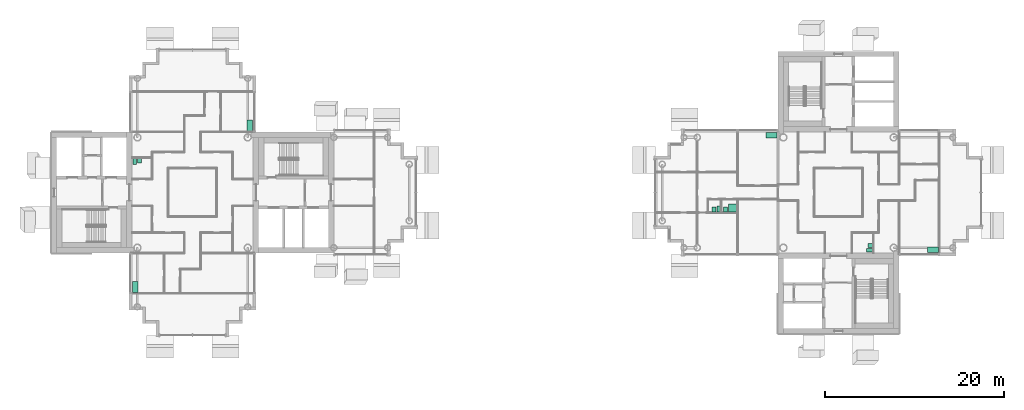
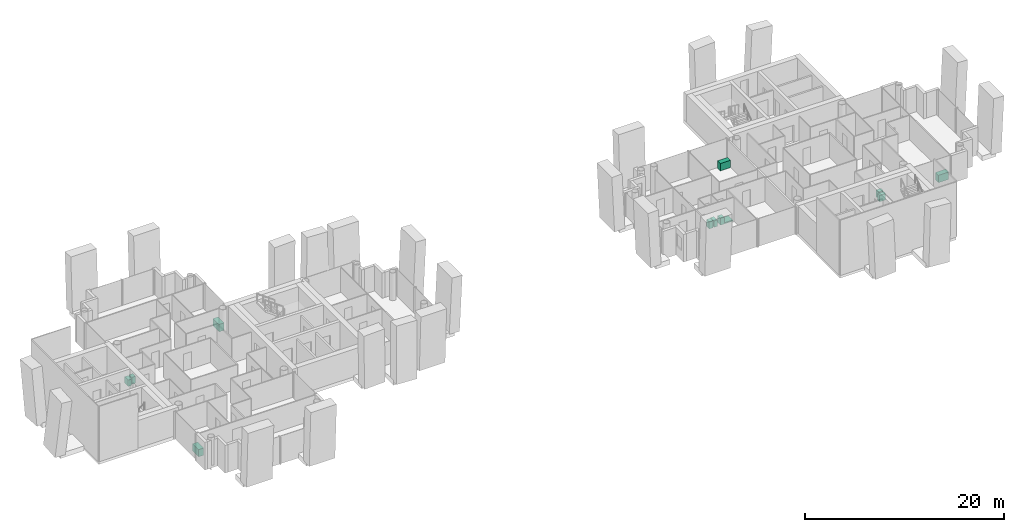
# One storey, part 18 of 18: 12 sanitary terminals.
"""IFC4 building model written with IfcOpenShell, lengths in metres."""

import ifcopenshell
import ifcopenshell.guid

model = None  # the IFC model being written
_history = None  # IfcOwnerHistory: only IFC2X3 demands one
_inside = {}  # id of a spatial element -> (the spatial element, [elements in it])
_under = {}  # id of a project, library or spatial element -> (it, [spatial elements below it])
_declared = {}  # id of a project -> (the project, [libraries it declares])
_typed = {}  # id of a type object -> (the type object, [elements of that type])
_made_of = {}  # id of a material, layer set ... -> (it, [elements and type objects made of it])


def new_model(schema):
    """Start an empty IFC model of exactly this schema.

    Asked for "IFC4X3", IfcOpenShell would pick the latest addendum, in which some entities
    have other attributes; the version numbers below select the first issue.
    IFC2X3 requires an IfcOwnerHistory on every rooted entity: one is made here for all.
    """
    global model, _history
    if schema == "IFC4X3":
        model = ifcopenshell.file(schema_version=(4, 3, 0, 0))
    else:
        model = ifcopenshell.file(schema=schema)
    _inside.clear()
    _under.clear()
    _declared.clear()
    _typed.clear()
    _made_of.clear()
    _history = None
    if model.schema == "IFC2X3":
        org = make("IfcOrganization", Name="unknown")
        user = make(
            "IfcPersonAndOrganization",
            ThePerson=make("IfcPerson", FamilyName="unknown"),
            TheOrganization=org,
        )
        app = make(
            "IfcApplication",
            ApplicationDeveloper=org,
            Version="unknown",
            ApplicationFullName="unknown",
            ApplicationIdentifier="unknown",
        )
        _history = make(
            "IfcOwnerHistory",
            OwningUser=user,
            OwningApplication=app,
            ChangeAction="ADDED",
            CreationDate=0,
        )
    return model


def make(cls, **values):
    """One entity of the class cls with the attributes given. An attribute that is None is left unset."""
    return model.create_entity(
        cls, **{name: value for name, value in values.items() if value is not None}
    )


def rooted(cls, **values):
    """An entity with a GlobalId (a new one), such as an element, a storey or a relation."""
    return make(cls, GlobalId=ifcopenshell.guid.new(), OwnerHistory=_history, **values)


def si_unit(unit_type, name, prefix=None):
    """IfcSIUnit, for example si_unit("LENGTHUNIT", "METRE", prefix="MILLI")."""
    return make("IfcSIUnit", UnitType=unit_type, Prefix=prefix, Name=name)


def assignment(units):
    """IfcUnitAssignment: the units of a project."""
    return None if units is None else make("IfcUnitAssignment", Units=units)


def point(xyz):
    """IfcCartesianPoint."""
    return None if xyz is None else make("IfcCartesianPoint", Coordinates=xyz)


def direction(xyz):
    """IfcDirection."""
    return None if xyz is None else make("IfcDirection", DirectionRatios=xyz)


def frame(location, z_axis=None, x_axis=None):
    """IfcAxis2Placement3D, a coordinate frame: its origin and axes. An axis left out is left unset."""
    return make(
        "IfcAxis2Placement3D",
        Location=point(location),
        Axis=direction(z_axis),
        RefDirection=direction(x_axis),
    )


def frame_2d(location, x_axis=None):
    """IfcAxis2Placement2D, a coordinate frame in the plane: its origin and x axis."""
    return make(
        "IfcAxis2Placement2D", Location=point(location), RefDirection=direction(x_axis)
    )


def origin():
    """The frame at (0, 0, 0) with its axes left unset."""
    return frame((0.0, 0.0, 0.0))


def origin_2d():
    """The frame at (0, 0) in the plane with its x axis left unset."""
    return frame_2d((0.0, 0.0))


def place(relative_to, where):
    """IfcLocalPlacement: puts the frame where relative to a parent placement (None: the world)."""
    return make(
        "IfcLocalPlacement", PlacementRelTo=relative_to, RelativePlacement=where
    )


def context(
    kind, dimensions, precision=None, world=None, true_north=None, identifier=None
):
    """IfcGeometricRepresentationContext, for example the 3D "Model" context."""
    return make(
        "IfcGeometricRepresentationContext",
        ContextIdentifier=identifier,
        ContextType=kind,
        CoordinateSpaceDimension=dimensions,
        Precision=precision,
        WorldCoordinateSystem=world,
        TrueNorth=true_north,
    )


def subcontext(parent, identifier, kind, view, scale=None):
    """IfcGeometricRepresentationSubContext, for example "Body" below "Model"."""
    return make(
        "IfcGeometricRepresentationSubContext",
        ContextIdentifier=identifier,
        ContextType=kind,
        ParentContext=parent,
        TargetScale=scale,
        TargetView=view,
    )


def project(units=None, contexts=None):
    """IfcProject with its units and contexts."""
    return rooted(
        "IfcProject",
        Name="project",
        RepresentationContexts=contexts,
        UnitsInContext=assignment(units),
    )


def spatial(cls, under=None, at=None, **own):
    """A site, building, storey or space (cls), placed at a placement, below another one or the project."""
    s = rooted(cls, ObjectPlacement=at, **own)
    if under is not None:
        _under.setdefault(under.id(), (under, []))[1].append(s)
    return s


def profile(cls, at=None, kind="AREA", **sizes):
    """A parametric profile (cls). Its sizes go by their IFC names, for example OverallWidth=200.0."""
    return make(cls, ProfileType=kind, Position=at, **sizes)


def rectangle(**sizes):
    """IfcRectangleProfileDef."""
    return profile("IfcRectangleProfileDef", **sizes)


def extrude(swept, where, along, depth):
    """IfcExtrudedAreaSolid: the profile swept, set in the frame where, extruded along a direction by depth."""
    return make(
        "IfcExtrudedAreaSolid",
        SweptArea=swept,
        Position=where,
        ExtrudedDirection=direction(along),
        Depth=depth,
    )


def shape(context_of_items, identifier, shape_type, items):
    """IfcShapeRepresentation: the items that make up one representation, for example the "Body"."""
    return make(
        "IfcShapeRepresentation",
        ContextOfItems=context_of_items,
        RepresentationIdentifier=identifier,
        RepresentationType=shape_type,
        Items=items,
    )


def material(Name=None, Category=None):
    """IfcMaterial."""
    return make("IfcMaterial", Name=Name, Category=Category)


def made_of(thing, what):
    """Note that an element or type object is made of a material, layer set ...; save() writes the relation."""
    if what is not None:
        _made_of.setdefault(what.id(), (what, []))[1].append(thing)
    return thing


def type_object(cls, material=None, **own):
    """A type object (cls), such as IfcWallType, which elements share."""
    return made_of(rooted(cls, **own), material)


def element(
    cls,
    number,
    at=None,
    inside=None,
    cuts=None,
    type_object=None,
    material=None,
    context=None,
    identifier="Body",
    shape_type=None,
    held_by="IfcProductDefinitionShape",
    body=None,
    shapes=None,
    **own,
):
    """One element of the class cls, such as IfcWall. Its Tag is "e" and its number.

    at: its placement. inside: the storey or other place that contains it. cuts: it is an
    opening in that element (IfcRelVoidsElement). A single representation is given by context,
    identifier, shape_type and body (its items); several are given by shapes. held_by: the class
    of the entity that holds the representations. save() writes the other relations.
    """
    e = rooted(cls, Tag="e%d" % number, ObjectPlacement=at, **own)
    if body is not None:
        shapes = [shape(context, identifier, shape_type, body)]
    if shapes is not None:
        e.Representation = make(held_by, Representations=shapes)
    if inside is not None:
        _inside.setdefault(inside.id(), (inside, []))[1].append(e)
    if cuts is not None:
        rooted(
            "IfcRelVoidsElement", RelatingBuildingElement=cuts, RelatedOpeningElement=e
        )
    if type_object is not None:
        _typed.setdefault(type_object.id(), (type_object, []))[1].append(e)
    return made_of(e, material)


def aggregate(whole, parts):
    """IfcRelAggregates: a whole, such as a stair, and the parts it consists of."""
    return rooted("IfcRelAggregates", RelatingObject=whole, RelatedObjects=parts)


def save(model, path):
    """Write the relations noted so far, then the file.

    IfcRelAggregates (storeys below a building ...), IfcRelContainedInSpatialStructure (elements
    in a storey), IfcRelDefinesByType, IfcRelAssociatesMaterial and IfcRelDeclares: one each for
    every whole, place, type object, material and project.
    """
    for whole, parts in _under.values():
        aggregate(whole, parts)
    for where, things in _inside.values():
        rooted(
            "IfcRelContainedInSpatialStructure",
            RelatedElements=things,
            RelatingStructure=where,
        )
    for kind, things in _typed.values():
        rooted("IfcRelDefinesByType", RelatedObjects=things, RelatingType=kind)
    for what, things in _made_of.values():
        rooted("IfcRelAssociatesMaterial", RelatedObjects=things, RelatingMaterial=what)
    for by, libraries in _declared.values():
        rooted("IfcRelDeclares", RelatingContext=by, RelatedDefinitions=libraries)
    model.write(path)


model = new_model("IFC4")

# Units and contexts
model_context = context("Model", 3, precision=1e-05, world=origin(), true_north=direction((0.0, 1.0)))
body_context = subcontext(model_context, "Body", "Model", "MODEL_VIEW")
ifc_project = project(units=[si_unit("LENGTHUNIT", "METRE"), si_unit("AREAUNIT", "SQUARE_METRE"), si_unit("VOLUMEUNIT", "CUBIC_METRE"), si_unit("PLANEANGLEUNIT", "RADIAN"), si_unit("MASSUNIT", "GRAM", prefix="KILO")], contexts=[model_context])

# Site, building, storey
site_placement = place(None, origin())
site = spatial("IfcSite", under=ifc_project, at=site_placement, CompositionType="ELEMENT")
building_placement = place(site_placement, origin())
building = spatial("IfcBuilding", under=site, at=building_placement, Name="Ipe Terrace Towers", CompositionType="ELEMENT")
storey_placement = place(building_placement, frame((0.0, 0.0, 223.199951171875)))
storey = spatial("IfcBuildingStorey", under=building, at=storey_placement, Name="L62", CompositionType="ELEMENT", Elevation=223.199951171875)

# Sanitary terminals
ifc_material_1 = material(Name="Stainless sink unit", Category="metal")
sanitary_terminal_type_1 = type_object("IfcSanitaryTerminalType", Name="Kitchen sink unit", PredefinedType="SINK", material=ifc_material_1)
for number, where, z_axis, x_axis, name in (
    (1, (-29.6201171875, 7.469970703125, 0.0), (0.0, 0.0, 1.0), (0.0, -1.0, 0.0), "Kitchen sink unit"),
    (2, (-42.3798828125, -10.530029296875, 0.0), (0.0, 0.0, 1.0), (0.0, 1.0, 0.0), "Kitchen sink unit"),
    (3, (28.530029296875, 6.3798828125, 0.0), (0.0, 0.0, 1.0), (1.0, 0.0, 0.0), "Kitchen sink unit"),
    (4, (46.530029296875, -6.3798828125, 0.0), (0.0, 0.0, 1.0), (-1.0, 0.0, 0.0), "Kitchen sink unit"),
):
    element("IfcSanitaryTerminal", number, at=place(storey_placement, frame(where, z_axis=z_axis, x_axis=x_axis)), inside=storey, type_object=sanitary_terminal_type_1, Name=name, PredefinedType="SINK", context=body_context, shape_type="SweptSolid", body=[
        extrude(rectangle(XDim=1.199951171875, YDim=0.60009765625, at=origin_2d()), origin(), (0.0, 0.0, 1.0), 0.89990234375),
    ])
ifc_material_2 = material(Name="Acrylic", Category="plastic")
sanitary_terminal_type_2 = type_object("IfcSanitaryTerminalType", Name="Shower tray", PredefinedType="SHOWER", material=ifc_material_2)
sanitary_terminal_placement = place(storey_placement, frame((24.179931640625, -1.72998046875, 0.0), z_axis=(0.0, 0.0, 1.0), x_axis=(0.0, 1.0, 0.0)))
element("IfcSanitaryTerminal", 5, at=sanitary_terminal_placement, inside=storey, type_object=sanitary_terminal_type_2, Name="Shower tray", PredefinedType="SHOWER", context=body_context, shape_type="SweptSolid", body=[
    extrude(rectangle(XDim=0.89990234375, YDim=0.89990234375, at=origin_2d()), origin(), (0.0, 0.0, 1.0), 0.14990234375),
])
ifc_material_3 = material(Name="Vitreous china", Category="ceramic")
sanitary_terminal_type_3 = type_object("IfcSanitaryTerminalType", Name="Wash basin", PredefinedType="WASHHANDBASIN", material=ifc_material_3)
for number, where, z_axis, x_axis, name in (
    (6, (-41.905029296875, 3.554931640625, 0.0), (0.0, 0.0, 1.0), (0.0, -1.0, 0.0), "Wash basin"),
    (7, (39.554931640625, -5.905029296875, 0.0), (0.0, 0.0, 1.0), (-1.0, 0.0, 0.0), "Wash basin"),
    (8, (23.405029296875, -1.905029296875, 0.0), (0.0, 0.0, 1.0), (0.0, 1.0, 0.0), "Wash basin"),
    (9, (22.10498046875, -1.905029296875, 0.0), (0.0, 0.0, 1.0), (0.0, 1.0, 0.0), "Wash basin"),
):
    element("IfcSanitaryTerminal", number, at=place(storey_placement, frame(where, z_axis=z_axis, x_axis=x_axis)), inside=storey, type_object=sanitary_terminal_type_3, Name=name, PredefinedType="WASHHANDBASIN", context=body_context, shape_type="SweptSolid", body=[
        extrude(rectangle(XDim=0.550048828125, YDim=0.449951171875, at=origin_2d()), origin(), (0.0, 0.0, 1.0), 0.85009765625),
    ])
ifc_material_4 = material(Name="Vitreous china", Category="ceramic")
sanitary_terminal_type_4 = type_object("IfcSanitaryTerminalType", Name="Water closet", PredefinedType="TOILETPAN", material=ifc_material_4)
for number, where, z_axis, x_axis, name in (
    (10, (-42.429931640625, 3.47998046875, 0.0), (0.0, 0.0, 1.0), (0.0, -1.0, 0.0), "Water closet"),
    (11, (39.47998046875, -6.429931640625, 0.0), (0.0, 0.0, 1.0), (-1.0, 0.0, 0.0), "Water closet"),
    (12, (22.6298828125, -1.830078125, 0.0), (0.0, 0.0, 1.0), (0.0, 1.0, 0.0), "Water closet"),
):
    element("IfcSanitaryTerminal", number, at=place(storey_placement, frame(where, z_axis=z_axis, x_axis=x_axis)), inside=storey, type_object=sanitary_terminal_type_4, Name=name, PredefinedType="TOILETPAN", context=body_context, shape_type="SweptSolid", body=[
        extrude(rectangle(XDim=0.699951171875, YDim=0.39990234375, at=origin_2d()), origin(), (0.0, 0.0, 1.0), 0.780029296875),
    ])

save(model, "model.ifc")
